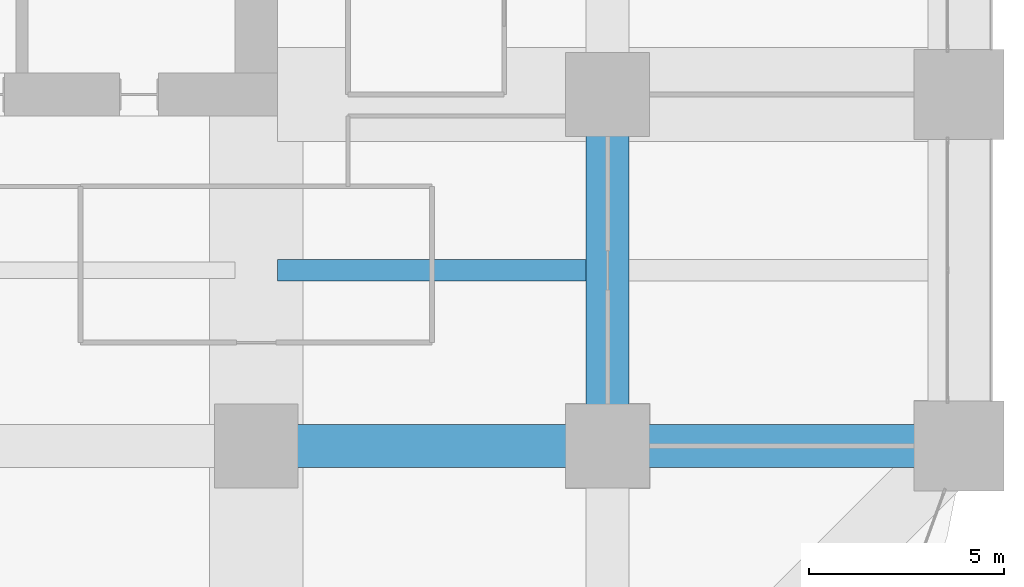
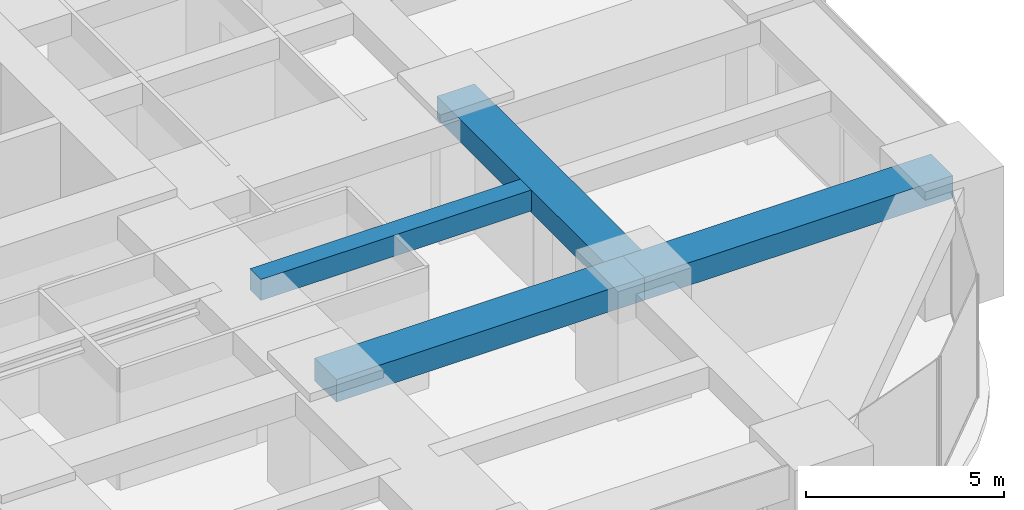
# One storey, part 17 of 44: 4 beams.
"""IFC4 building model written with IfcOpenShell, lengths in metres."""

from ifc_helpers import new_model, si_unit, direction, frame, origin, origin_2d, place, context, subcontext, project, spatial, rectangle, extrude, material, material_profile, profile_set, type_object, element, save


model = new_model("IFC4")

# Units and contexts
model_context = context("Model", 3, precision=1e-05, world=origin(), true_north=direction((0.0, 1.0)))
body_context = subcontext(model_context, "Body", "Model", "MODEL_VIEW")
ifc_project = project(units=[si_unit("LENGTHUNIT", "METRE"), si_unit("AREAUNIT", "SQUARE_METRE"), si_unit("VOLUMEUNIT", "CUBIC_METRE"), si_unit("PLANEANGLEUNIT", "RADIAN"), si_unit("MASSUNIT", "GRAM", prefix="KILO")], contexts=[model_context])

# Site, building, storey
site_placement = place(None, origin())
site = spatial("IfcSite", under=ifc_project, at=site_placement, CompositionType="ELEMENT")
building_placement = place(site_placement, origin())
building = spatial("IfcBuilding", under=site, at=building_placement, Name="Zorevar Civic Tower", CompositionType="ELEMENT")
storey_placement = place(building_placement, frame((0.0, 0.0, 63.800048828125)))
storey = spatial("IfcBuildingStorey", under=building, at=storey_placement, Name="L15", CompositionType="ELEMENT", Elevation=63.800048828125)

# Beams
ifc_material_1 = material(Name="Concrete C50/60", Category="concrete")
ifc_material_profile_1 = material_profile(ifc_material_1, rectangle(XDim=1.10009765625, YDim=0.699951171875, at=origin_2d()), Name="RC 1100x700")
ifc_profile_set_1 = profile_set([ifc_material_profile_1], Name="Concrete C50/60")
beam_type_1 = type_object("IfcBeamType", Name="Beam RC 1100x700", PredefinedType="BEAM", material=ifc_profile_set_1)
for number, where, z_axis, x_axis, name in (
    (1, (45.0, 9.0, 3.39990234375), (1.0, 0.0, 0.0), (0.0, 1.0, 0.0), "Girder L16"),
    (2, (54.0, 9.0, 3.39990234375), (1.0, 0.0, 0.0), (0.0, 1.0, 0.0), "Girder L16"),
    (3, (54.0, 9.0, 3.39990234375), (0.0, 1.0, 0.0), (-1.0, 0.0, 0.0), "Girder L16"),
):
    element("IfcBeam", number, at=place(storey_placement, frame(where, z_axis=z_axis, x_axis=x_axis)), inside=storey, type_object=beam_type_1, Name=name, PredefinedType="BEAM", context=body_context, shape_type="SweptSolid", body=[
        extrude(rectangle(XDim=1.10009765625, YDim=0.699951171875, at=origin_2d()), origin(), (0.0, 0.0, 1.0), 9.0),
    ])
ifc_material_2 = material(Name="Concrete C50/60", Category="concrete")
ifc_material_profile_2 = material_profile(ifc_material_2, rectangle(XDim=0.550048828125, YDim=0.64990234375, at=origin_2d()), Name="RC 550x650")
ifc_profile_set_2 = profile_set([ifc_material_profile_2], Name="Concrete C50/60")
beam_type_2 = type_object("IfcBeamType", Name="Beam RC 550x650", PredefinedType="BEAM", material=ifc_profile_set_2)
beam_placement = place(storey_placement, frame((45.550048828125, 13.5, 3.425048828125), z_axis=(1.0, 0.0, 0.0), x_axis=(0.0, 1.0, 0.0)))
element("IfcBeam", 4, at=beam_placement, inside=storey, type_object=beam_type_2, Name="Secondary beam L16", PredefinedType="BEAM", context=body_context, shape_type="SweptSolid", body=[
    extrude(rectangle(XDim=0.550048828125, YDim=0.64990234375, at=origin_2d()), origin(), (0.0, 0.0, 1.0), 7.89990234375),
])

save(model, "model.ifc")
